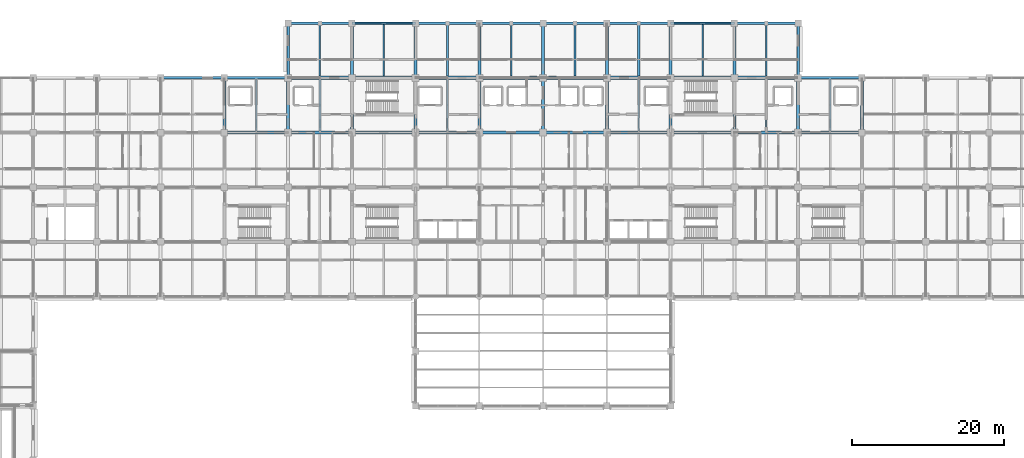
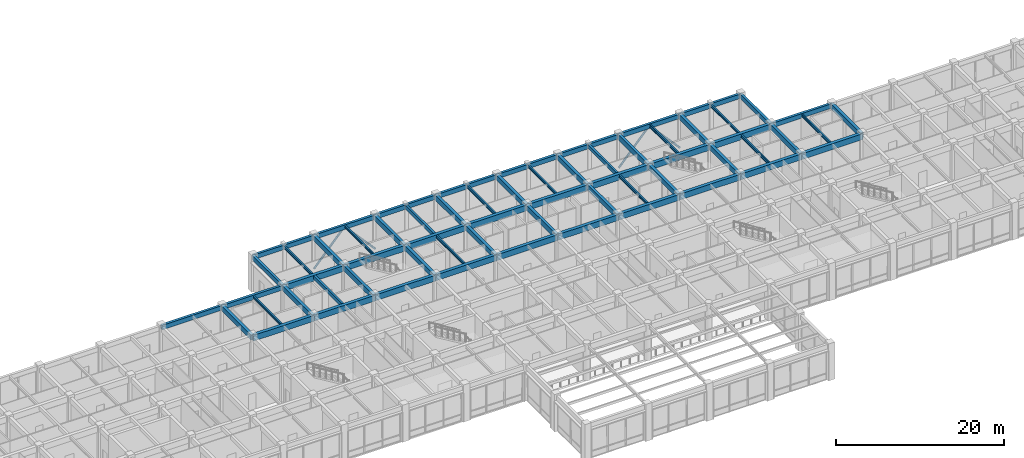
# One storey, part 16 of 58: 63 beams, 4 members.
"""IFC4 building model written with IfcOpenShell, lengths in metres."""

from ifc_helpers import new_model, si_unit, direction, frame, origin, origin_2d, place, context, subcontext, project, spatial, rectangle, hollow_circle, i_section, extrude, material, material_profile, profile_set, type_object, element, save


model = new_model("IFC4")

# Units and contexts
model_context = context("Model", 3, precision=1e-05, world=origin(), true_north=direction((0.0, 1.0)))
body_context = subcontext(model_context, "Body", "Model", "MODEL_VIEW")
ifc_project = project(units=[si_unit("LENGTHUNIT", "METRE"), si_unit("AREAUNIT", "SQUARE_METRE"), si_unit("VOLUMEUNIT", "CUBIC_METRE"), si_unit("PLANEANGLEUNIT", "RADIAN"), si_unit("MASSUNIT", "GRAM", prefix="KILO")], contexts=[model_context])

# Site, building, storey
site_placement = place(None, origin())
site = spatial("IfcSite", under=ifc_project, at=site_placement, CompositionType="ELEMENT")
building_placement = place(site_placement, origin())
building = spatial("IfcBuilding", under=site, at=building_placement, Name="Chengyuan Square Courthouse", CompositionType="ELEMENT")
storey_placement = place(building_placement, frame((0.0, 0.0, 16.199951171875)))
storey = spatial("IfcBuildingStorey", under=building, at=storey_placement, Name="L04", CompositionType="ELEMENT", Elevation=16.199951171875)

# Beams
ifc_material_1 = material(Name="Concrete C40", Category="concrete")
ifc_material_profile_1 = material_profile(ifc_material_1, rectangle(XDim=0.449951171875, YDim=0.85009765625, at=origin_2d()), Name="RC-BM-450x850")
ifc_profile_set_1 = profile_set([ifc_material_profile_1], Name="Concrete C40")
beam_type_1 = type_object("IfcBeamType", Name="BM-01", PredefinedType="USERDEFINED", material=ifc_profile_set_1)
beam_1_placement = place(storey_placement, frame((42.0, 100.800048828125, 4.695068359375), z_axis=(1.0, 0.0, 0.0), x_axis=(0.0, 1.0, 0.0)))
element("IfcBeam", 1, at=beam_1_placement, inside=storey, type_object=beam_type_1, Name="Girder BM-L04-2926", ObjectType="GIRDER", PredefinedType="USERDEFINED", context=body_context, shape_type="SweptSolid", body=[
    extrude(rectangle(XDim=0.449951171875, YDim=0.85009765625, at=origin_2d()), origin(), (0.0, 0.0, 1.0), 8.39990234375),
])
beam_2_placement = place(storey_placement, frame((50.39990234375, 100.800048828125, 4.695068359375), z_axis=(1.0, 0.0, 0.0), x_axis=(0.0, 1.0, 0.0)))
element("IfcBeam", 2, at=beam_2_placement, inside=storey, type_object=beam_type_1, Name="Girder BM-L04-2927", ObjectType="GIRDER", PredefinedType="USERDEFINED", context=body_context, shape_type="SweptSolid", body=[
    extrude(rectangle(XDim=0.449951171875, YDim=0.85009765625, at=origin_2d()), origin(), (0.0, 0.0, 1.0), 8.400146484375),
])
beam_3_placement = place(storey_placement, frame((58.800048828125, 100.800048828125, 4.695068359375), z_axis=(1.0, 0.0, 0.0), x_axis=(0.0, 1.0, 0.0)))
element("IfcBeam", 3, at=beam_3_placement, inside=storey, type_object=beam_type_1, Name="Girder BM-L04-2928", ObjectType="GIRDER", PredefinedType="USERDEFINED", context=body_context, shape_type="SweptSolid", body=[
    extrude(rectangle(XDim=0.449951171875, YDim=0.85009765625, at=origin_2d()), origin(), (0.0, 0.0, 1.0), 8.39990234375),
])
beam_4_placement = place(storey_placement, frame((67.199951171875, 100.800048828125, 4.695068359375), z_axis=(1.0, 0.0, 0.0), x_axis=(0.0, 1.0, 0.0)))
element("IfcBeam", 4, at=beam_4_placement, inside=storey, type_object=beam_type_1, Name="Girder BM-L04-2929", ObjectType="GIRDER", PredefinedType="USERDEFINED", context=body_context, shape_type="SweptSolid", body=[
    extrude(rectangle(XDim=0.449951171875, YDim=0.85009765625, at=origin_2d()), origin(), (0.0, 0.0, 1.0), 8.400146484375),
])
for number, where, z_axis, x_axis, name in (
    (5, (75.60009765625, 100.800048828125, 4.695068359375), (1.0, 0.0, 0.0), (0.0, 1.0, 0.0), "Girder BM-L04-2930"),
    (6, (84.0, 100.800048828125, 4.695068359375), (1.0, 0.0, 0.0), (0.0, 1.0, 0.0), "Girder BM-L04-2931"),
):
    element("IfcBeam", number, at=place(storey_placement, frame(where, z_axis=z_axis, x_axis=x_axis)), inside=storey, type_object=beam_type_1, Name=name, ObjectType="GIRDER", PredefinedType="USERDEFINED", context=body_context, shape_type="SweptSolid", body=[
        extrude(rectangle(XDim=0.449951171875, YDim=0.85009765625, at=origin_2d()), origin(), (0.0, 0.0, 1.0), 8.39990234375),
    ])
beam_5_placement = place(storey_placement, frame((92.39990234375, 100.800048828125, 4.695068359375), z_axis=(1.0, 0.0, 0.0), x_axis=(0.0, 1.0, 0.0)))
element("IfcBeam", 7, at=beam_5_placement, inside=storey, type_object=beam_type_1, Name="Girder BM-L04-2932", ObjectType="GIRDER", PredefinedType="USERDEFINED", context=body_context, shape_type="SweptSolid", body=[
    extrude(rectangle(XDim=0.449951171875, YDim=0.85009765625, at=origin_2d()), origin(), (0.0, 0.0, 1.0), 8.400146484375),
])
beam_6_placement = place(storey_placement, frame((100.800048828125, 100.800048828125, 4.695068359375), z_axis=(1.0, 0.0, 0.0), x_axis=(0.0, 1.0, 0.0)))
element("IfcBeam", 8, at=beam_6_placement, inside=storey, type_object=beam_type_1, Name="Girder BM-L04-2933", ObjectType="GIRDER", PredefinedType="USERDEFINED", context=body_context, shape_type="SweptSolid", body=[
    extrude(rectangle(XDim=0.449951171875, YDim=0.85009765625, at=origin_2d()), origin(), (0.0, 0.0, 1.0), 8.39990234375),
])
beam_7_placement = place(storey_placement, frame((109.199951171875, 100.800048828125, 4.695068359375), z_axis=(1.0, 0.0, 0.0), x_axis=(0.0, 1.0, 0.0)))
element("IfcBeam", 9, at=beam_7_placement, inside=storey, type_object=beam_type_1, Name="Girder BM-L04-2934", ObjectType="GIRDER", PredefinedType="USERDEFINED", context=body_context, shape_type="SweptSolid", body=[
    extrude(rectangle(XDim=0.449951171875, YDim=0.85009765625, at=origin_2d()), origin(), (0.0, 0.0, 1.0), 8.400146484375),
])
beam_8_placement = place(storey_placement, frame((117.60009765625, 100.800048828125, 4.695068359375), z_axis=(1.0, 0.0, 0.0), x_axis=(0.0, 1.0, 0.0)))
element("IfcBeam", 10, at=beam_8_placement, inside=storey, type_object=beam_type_1, Name="Girder BM-L04-2935", ObjectType="GIRDER", PredefinedType="USERDEFINED", context=body_context, shape_type="SweptSolid", body=[
    extrude(rectangle(XDim=0.449951171875, YDim=0.85009765625, at=origin_2d()), origin(), (0.0, 0.0, 1.0), 8.39990234375),
])
beam_9_placement = place(storey_placement, frame((50.39990234375, 108.0, 4.695068359375), z_axis=(1.0, 0.0, 0.0), x_axis=(0.0, 1.0, 0.0)))
element("IfcBeam", 11, at=beam_9_placement, inside=storey, type_object=beam_type_1, Name="Girder BM-L04-2947", ObjectType="GIRDER", PredefinedType="USERDEFINED", context=body_context, shape_type="SweptSolid", body=[
    extrude(rectangle(XDim=0.449951171875, YDim=0.85009765625, at=origin_2d()), origin(), (0.0, 0.0, 1.0), 8.400146484375),
])
beam_10_placement = place(storey_placement, frame((58.800048828125, 108.0, 4.695068359375), z_axis=(1.0, 0.0, 0.0), x_axis=(0.0, 1.0, 0.0)))
element("IfcBeam", 12, at=beam_10_placement, inside=storey, type_object=beam_type_1, Name="Girder BM-L04-2948", ObjectType="GIRDER", PredefinedType="USERDEFINED", context=body_context, shape_type="SweptSolid", body=[
    extrude(rectangle(XDim=0.449951171875, YDim=0.85009765625, at=origin_2d()), origin(), (0.0, 0.0, 1.0), 8.39990234375),
])
beam_11_placement = place(storey_placement, frame((67.199951171875, 108.0, 4.695068359375), z_axis=(1.0, 0.0, 0.0), x_axis=(0.0, 1.0, 0.0)))
element("IfcBeam", 13, at=beam_11_placement, inside=storey, type_object=beam_type_1, Name="Girder BM-L04-2949", ObjectType="GIRDER", PredefinedType="USERDEFINED", context=body_context, shape_type="SweptSolid", body=[
    extrude(rectangle(XDim=0.449951171875, YDim=0.85009765625, at=origin_2d()), origin(), (0.0, 0.0, 1.0), 8.400146484375),
])
for number, where, z_axis, x_axis, name in (
    (14, (75.60009765625, 108.0, 4.695068359375), (1.0, 0.0, 0.0), (0.0, 1.0, 0.0), "Girder BM-L04-2950"),
    (15, (84.0, 108.0, 4.695068359375), (1.0, 0.0, 0.0), (0.0, 1.0, 0.0), "Girder BM-L04-2951"),
):
    element("IfcBeam", number, at=place(storey_placement, frame(where, z_axis=z_axis, x_axis=x_axis)), inside=storey, type_object=beam_type_1, Name=name, ObjectType="GIRDER", PredefinedType="USERDEFINED", context=body_context, shape_type="SweptSolid", body=[
        extrude(rectangle(XDim=0.449951171875, YDim=0.85009765625, at=origin_2d()), origin(), (0.0, 0.0, 1.0), 8.39990234375),
    ])
beam_12_placement = place(storey_placement, frame((92.39990234375, 108.0, 4.695068359375), z_axis=(1.0, 0.0, 0.0), x_axis=(0.0, 1.0, 0.0)))
element("IfcBeam", 16, at=beam_12_placement, inside=storey, type_object=beam_type_1, Name="Girder BM-L04-2952", ObjectType="GIRDER", PredefinedType="USERDEFINED", context=body_context, shape_type="SweptSolid", body=[
    extrude(rectangle(XDim=0.449951171875, YDim=0.85009765625, at=origin_2d()), origin(), (0.0, 0.0, 1.0), 8.400146484375),
])
beam_13_placement = place(storey_placement, frame((100.800048828125, 108.0, 4.695068359375), z_axis=(1.0, 0.0, 0.0), x_axis=(0.0, 1.0, 0.0)))
element("IfcBeam", 17, at=beam_13_placement, inside=storey, type_object=beam_type_1, Name="Girder BM-L04-2953", ObjectType="GIRDER", PredefinedType="USERDEFINED", context=body_context, shape_type="SweptSolid", body=[
    extrude(rectangle(XDim=0.449951171875, YDim=0.85009765625, at=origin_2d()), origin(), (0.0, 0.0, 1.0), 8.39990234375),
])
beam_14_placement = place(storey_placement, frame((109.199951171875, 108.0, 4.695068359375), z_axis=(1.0, 0.0, 0.0), x_axis=(0.0, 1.0, 0.0)))
element("IfcBeam", 18, at=beam_14_placement, inside=storey, type_object=beam_type_1, Name="Girder BM-L04-2954", ObjectType="GIRDER", PredefinedType="USERDEFINED", context=body_context, shape_type="SweptSolid", body=[
    extrude(rectangle(XDim=0.449951171875, YDim=0.85009765625, at=origin_2d()), origin(), (0.0, 0.0, 1.0), 8.400146484375),
])
ifc_material_profile_2 = material_profile(ifc_material_1, rectangle(XDim=0.39990234375, YDim=0.75, at=origin_2d()), Name="RC-BM-400x750")
ifc_profile_set_2 = profile_set([ifc_material_profile_2], Name="Concrete C40")
beam_type_2 = type_object("IfcBeamType", Name="BM-02", PredefinedType="USERDEFINED", material=ifc_profile_set_2)
for number, where, z_axis, x_axis, name in (
    (19, (42.0, 100.800048828125, 4.7451171875), (0.0, 1.0, 0.0), (-1.0, 0.0, 0.0), "Girder BM-L04-3004"),
    (20, (50.39990234375, 100.800048828125, 4.7451171875), (0.0, 1.0, 0.0), (-1.0, 0.0, 0.0), "Girder BM-L04-3008"),
    (21, (58.800048828125, 100.800048828125, 4.7451171875), (0.0, 1.0, 0.0), (-1.0, 0.0, 0.0), "Girder BM-L04-3013"),
    (22, (58.800048828125, 108.0, 4.7451171875), (0.0, 1.0, 0.0), (-1.0, 0.0, 0.0), "Girder BM-L04-3014"),
    (23, (67.199951171875, 100.800048828125, 4.7451171875), (0.0, 1.0, 0.0), (-1.0, 0.0, 0.0), "Girder BM-L04-3020"),
    (24, (67.199951171875, 108.0, 4.7451171875), (0.0, 1.0, 0.0), (-1.0, 0.0, 0.0), "Girder BM-L04-3021"),
    (25, (75.60009765625, 100.800048828125, 4.7451171875), (0.0, 1.0, 0.0), (-1.0, 0.0, 0.0), "Girder BM-L04-3026"),
    (26, (75.60009765625, 108.0, 4.7451171875), (0.0, 1.0, 0.0), (-1.0, 0.0, 0.0), "Girder BM-L04-3027"),
    (27, (84.0, 100.800048828125, 4.7451171875), (0.0, 1.0, 0.0), (-1.0, 0.0, 0.0), "Girder BM-L04-3032"),
    (28, (84.0, 108.0, 4.7451171875), (0.0, 1.0, 0.0), (-1.0, 0.0, 0.0), "Girder BM-L04-3033"),
    (29, (92.39990234375, 100.800048828125, 4.7451171875), (0.0, 1.0, 0.0), (-1.0, 0.0, 0.0), "Girder BM-L04-3038"),
    (30, (92.39990234375, 108.0, 4.7451171875), (0.0, 1.0, 0.0), (-1.0, 0.0, 0.0), "Girder BM-L04-3039"),
    (31, (100.800048828125, 100.800048828125, 4.7451171875), (0.0, 1.0, 0.0), (-1.0, 0.0, 0.0), "Girder BM-L04-3045"),
    (32, (100.800048828125, 108.0, 4.7451171875), (0.0, 1.0, 0.0), (-1.0, 0.0, 0.0), "Girder BM-L04-3046"),
    (33, (109.199951171875, 100.800048828125, 4.7451171875), (0.0, 1.0, 0.0), (-1.0, 0.0, 0.0), "Girder BM-L04-3050"),
    (34, (109.199951171875, 108.0, 4.7451171875), (0.0, 1.0, 0.0), (-1.0, 0.0, 0.0), "Girder BM-L04-3051"),
    (35, (117.60009765625, 100.800048828125, 4.7451171875), (0.0, 1.0, 0.0), (-1.0, 0.0, 0.0), "Girder BM-L04-3055"),
    (36, (126.0, 100.800048828125, 4.7451171875), (0.0, 1.0, 0.0), (-1.0, 0.0, 0.0), "Girder BM-L04-3060"),
):
    element("IfcBeam", number, at=place(storey_placement, frame(where, z_axis=z_axis, x_axis=x_axis)), inside=storey, type_object=beam_type_2, Name=name, ObjectType="GIRDER", PredefinedType="USERDEFINED", context=body_context, shape_type="SweptSolid", body=[
        extrude(rectangle(XDim=0.39990234375, YDim=0.75, at=origin_2d()), origin(), (0.0, 0.0, 1.0), 7.199951171875),
    ])
ifc_material_profile_3 = material_profile(ifc_material_1, rectangle(XDim=0.35009765625, YDim=0.64990234375, at=origin_2d()), Name="RC-BM-350x650")
ifc_profile_set_3 = profile_set([ifc_material_profile_3], Name="Concrete C40")
beam_type_3 = type_object("IfcBeamType", Name="BM-03", PredefinedType="SPANDREL", material=ifc_profile_set_3)
for number, where, z_axis, x_axis, name in (
    (37, (33.60009765625, 108.0, 4.795166015625), (1.0, 0.0, 0.0), (0.0, 1.0, 0.0), "Girder BM-L04-2945"),
    (38, (42.0, 108.0, 4.795166015625), (1.0, 0.0, 0.0), (0.0, 1.0, 0.0), "Girder BM-L04-2946"),
    (39, (117.60009765625, 108.0, 4.795166015625), (1.0, 0.0, 0.0), (0.0, 1.0, 0.0), "Girder BM-L04-2955"),
):
    element("IfcBeam", number, at=place(storey_placement, frame(where, z_axis=z_axis, x_axis=x_axis)), inside=storey, type_object=beam_type_3, Name=name, PredefinedType="SPANDREL", context=body_context, shape_type="SweptSolid", body=[
        extrude(rectangle(XDim=0.35009765625, YDim=0.64990234375, at=origin_2d()), origin(), (0.0, 0.0, 1.0), 8.39990234375),
    ])
beam_15_placement = place(storey_placement, frame((50.39990234375, 115.199951171875, 4.795166015625), z_axis=(1.0, 0.0, 0.0), x_axis=(0.0, 1.0, 0.0)))
element("IfcBeam", 40, at=beam_15_placement, inside=storey, type_object=beam_type_3, Name="Girder BM-L04-2961", PredefinedType="SPANDREL", context=body_context, shape_type="SweptSolid", body=[
    extrude(rectangle(XDim=0.35009765625, YDim=0.64990234375, at=origin_2d()), origin(), (0.0, 0.0, 1.0), 8.400146484375),
])
beam_16_placement = place(storey_placement, frame((58.800048828125, 115.199951171875, 4.795166015625), z_axis=(1.0, 0.0, 0.0), x_axis=(0.0, 1.0, 0.0)))
element("IfcBeam", 41, at=beam_16_placement, inside=storey, type_object=beam_type_3, Name="Girder BM-L04-2962", PredefinedType="SPANDREL", context=body_context, shape_type="SweptSolid", body=[
    extrude(rectangle(XDim=0.35009765625, YDim=0.64990234375, at=origin_2d()), origin(), (0.0, 0.0, 1.0), 8.39990234375),
])
beam_17_placement = place(storey_placement, frame((67.199951171875, 115.199951171875, 4.795166015625), z_axis=(1.0, 0.0, 0.0), x_axis=(0.0, 1.0, 0.0)))
element("IfcBeam", 42, at=beam_17_placement, inside=storey, type_object=beam_type_3, Name="Girder BM-L04-2963", PredefinedType="SPANDREL", context=body_context, shape_type="SweptSolid", body=[
    extrude(rectangle(XDim=0.35009765625, YDim=0.64990234375, at=origin_2d()), origin(), (0.0, 0.0, 1.0), 8.400146484375),
])
for number, where, z_axis, x_axis, name in (
    (43, (75.60009765625, 115.199951171875, 4.795166015625), (1.0, 0.0, 0.0), (0.0, 1.0, 0.0), "Girder BM-L04-2964"),
    (44, (84.0, 115.199951171875, 4.795166015625), (1.0, 0.0, 0.0), (0.0, 1.0, 0.0), "Girder BM-L04-2965"),
):
    element("IfcBeam", number, at=place(storey_placement, frame(where, z_axis=z_axis, x_axis=x_axis)), inside=storey, type_object=beam_type_3, Name=name, PredefinedType="SPANDREL", context=body_context, shape_type="SweptSolid", body=[
        extrude(rectangle(XDim=0.35009765625, YDim=0.64990234375, at=origin_2d()), origin(), (0.0, 0.0, 1.0), 8.39990234375),
    ])
beam_18_placement = place(storey_placement, frame((92.39990234375, 115.199951171875, 4.795166015625), z_axis=(1.0, 0.0, 0.0), x_axis=(0.0, 1.0, 0.0)))
element("IfcBeam", 45, at=beam_18_placement, inside=storey, type_object=beam_type_3, Name="Girder BM-L04-2966", PredefinedType="SPANDREL", context=body_context, shape_type="SweptSolid", body=[
    extrude(rectangle(XDim=0.35009765625, YDim=0.64990234375, at=origin_2d()), origin(), (0.0, 0.0, 1.0), 8.400146484375),
])
beam_19_placement = place(storey_placement, frame((100.800048828125, 115.199951171875, 4.795166015625), z_axis=(1.0, 0.0, 0.0), x_axis=(0.0, 1.0, 0.0)))
element("IfcBeam", 46, at=beam_19_placement, inside=storey, type_object=beam_type_3, Name="Girder BM-L04-2967", PredefinedType="SPANDREL", context=body_context, shape_type="SweptSolid", body=[
    extrude(rectangle(XDim=0.35009765625, YDim=0.64990234375, at=origin_2d()), origin(), (0.0, 0.0, 1.0), 8.39990234375),
])
beam_20_placement = place(storey_placement, frame((109.199951171875, 115.199951171875, 4.795166015625), z_axis=(1.0, 0.0, 0.0), x_axis=(0.0, 1.0, 0.0)))
element("IfcBeam", 47, at=beam_20_placement, inside=storey, type_object=beam_type_3, Name="Girder BM-L04-2968", PredefinedType="SPANDREL", context=body_context, shape_type="SweptSolid", body=[
    extrude(rectangle(XDim=0.35009765625, YDim=0.64990234375, at=origin_2d()), origin(), (0.0, 0.0, 1.0), 8.400146484375),
])
for number, where, z_axis, x_axis, name in (
    (48, (50.39990234375, 108.0, 4.795166015625), (0.0, 1.0, 0.0), (-1.0, 0.0, 0.0), "Girder BM-L04-3009"),
    (49, (117.60009765625, 108.0, 4.795166015625), (0.0, 1.0, 0.0), (-1.0, 0.0, 0.0), "Girder BM-L04-3056"),
):
    element("IfcBeam", number, at=place(storey_placement, frame(where, z_axis=z_axis, x_axis=x_axis)), inside=storey, type_object=beam_type_3, Name=name, PredefinedType="SPANDREL", context=body_context, shape_type="SweptSolid", body=[
        extrude(rectangle(XDim=0.35009765625, YDim=0.64990234375, at=origin_2d()), origin(), (0.0, 0.0, 1.0), 7.199951171875),
    ])
ifc_material_profile_4 = material_profile(ifc_material_1, rectangle(XDim=0.300048828125, YDim=0.550048828125, at=origin_2d()), Name="RC-BM-300x550")
ifc_profile_set_4 = profile_set([ifc_material_profile_4], Name="Concrete C40")
beam_type_4 = type_object("IfcBeamType", Name="BM-04", PredefinedType="BEAM", material=ifc_profile_set_4)
beam_21_placement = place(storey_placement, frame((54.60009765625, 101.02490234375, 4.844970703125), z_axis=(0.0, 1.0, 0.0), x_axis=(-1.0, 0.0, 0.0)))
element("IfcBeam", 50, at=beam_21_placement, inside=storey, type_object=beam_type_4, Name="Secondary Floor Beam SBM-L04-3131", PredefinedType="BEAM", context=body_context, shape_type="SweptSolid", body=[
    extrude(rectangle(XDim=0.300048828125, YDim=0.550048828125, at=origin_2d()), origin(), (0.0, 0.0, 1.0), 6.75),
])
for number, where, z_axis, x_axis, name in (
    (51, (71.39990234375, 108.22509765625, 4.844970703125), (0.0, 1.0, 0.0), (-1.0, 0.0, 0.0), "Secondary Floor Beam SBM-L04-3139"),
    (52, (96.60009765625, 108.22509765625, 4.844970703125), (0.0, 1.0, 0.0), (-1.0, 0.0, 0.0), "Secondary Floor Beam SBM-L04-3151"),
):
    element("IfcBeam", number, at=place(storey_placement, frame(where, z_axis=z_axis, x_axis=x_axis)), inside=storey, type_object=beam_type_4, Name=name, PredefinedType="BEAM", context=body_context, shape_type="SweptSolid", body=[
        extrude(rectangle(XDim=0.300048828125, YDim=0.550048828125, at=origin_2d()), origin(), (0.0, 0.0, 1.0), 6.7998046875),
    ])
ifc_material_2 = material(Name="Steel Q355B", Category="steel")
ifc_material_profile_5 = material_profile(ifc_material_2, i_section(OverallWidth=0.199951171875, OverallDepth=0.449951171875, WebThickness=0.009033203125, FlangeThickness=0.013916015625, at=origin_2d()), Name="HN 450x200x9x14")
ifc_profile_set_5 = profile_set([ifc_material_profile_5], Name="Steel Q355B")
beam_type_5 = type_object("IfcBeamType", Name="BM-06", PredefinedType="BEAM", material=ifc_profile_set_5)
for number, where, z_axis, x_axis, name in (
    (53, (54.60009765625, 108.22509765625, 4.89501953125), (0.0, 1.0, 0.0), (-1.0, 0.0, 0.0), "Secondary Floor Beam SBM-L04-3132"),
    (54, (79.800048828125, 108.22509765625, 4.89501953125), (0.0, 1.0, 0.0), (-1.0, 0.0, 0.0), "Secondary Floor Beam SBM-L04-3143"),
    (55, (105.0, 108.22509765625, 4.89501953125), (0.0, 1.0, 0.0), (-1.0, 0.0, 0.0), "Secondary Floor Beam SBM-L04-3154"),
):
    element("IfcBeam", number, at=place(storey_placement, frame(where, z_axis=z_axis, x_axis=x_axis)), inside=storey, type_object=beam_type_5, Name=name, PredefinedType="BEAM", context=body_context, shape_type="SweptSolid", body=[
        extrude(i_section(OverallWidth=0.199951171875, OverallDepth=0.449951171875, WebThickness=0.009033203125, FlangeThickness=0.013916015625, at=origin_2d()), origin(), (0.0, 0.0, 1.0), 6.7998046875),
    ])
beam_22_placement = place(storey_placement, frame((113.39990234375, 101.02490234375, 4.89501953125), z_axis=(0.0, 1.0, 0.0), x_axis=(-1.0, 0.0, 0.0)))
element("IfcBeam", 56, at=beam_22_placement, inside=storey, type_object=beam_type_5, Name="Secondary Floor Beam SBM-L04-3158", PredefinedType="BEAM", context=body_context, shape_type="SweptSolid", body=[
    extrude(i_section(OverallWidth=0.199951171875, OverallDepth=0.449951171875, WebThickness=0.009033203125, FlangeThickness=0.013916015625, at=origin_2d()), origin(), (0.0, 0.0, 1.0), 6.75),
])
ifc_material_profile_6 = material_profile(ifc_material_2, i_section(OverallWidth=0.199951171875, OverallDepth=0.39990234375, WebThickness=0.008056640625, FlangeThickness=0.012939453125, at=origin_2d()), Name="HN 400x200x8x13")
ifc_profile_set_6 = profile_set([ifc_material_profile_6], Name="Steel Q355B")
beam_type_6 = type_object("IfcBeamType", Name="BM-07", PredefinedType="BEAM", material=ifc_profile_set_6)
beam_23_placement = place(storey_placement, frame((46.199951171875, 101.02490234375, 4.920166015625), z_axis=(0.0, 1.0, 0.0), x_axis=(-1.0, 0.0, 0.0)))
element("IfcBeam", 57, at=beam_23_placement, inside=storey, type_object=beam_type_6, Name="Secondary Floor Beam SBM-L04-3127", PredefinedType="BEAM", context=body_context, shape_type="SweptSolid", body=[
    extrude(i_section(OverallWidth=0.199951171875, OverallDepth=0.39990234375, WebThickness=0.008056640625, FlangeThickness=0.012939453125, at=origin_2d()), origin(), (0.0, 0.0, 1.0), 6.800048828125),
])
beam_24_placement = place(storey_placement, frame((63.0, 108.22509765625, 4.920166015625), z_axis=(0.0, 1.0, 0.0), x_axis=(-1.0, 0.0, 0.0)))
element("IfcBeam", 58, at=beam_24_placement, inside=storey, type_object=beam_type_6, Name="Secondary Floor Beam SBM-L04-3135", PredefinedType="BEAM", context=body_context, shape_type="SweptSolid", body=[
    extrude(i_section(OverallWidth=0.199951171875, OverallDepth=0.39990234375, WebThickness=0.008056640625, FlangeThickness=0.012939453125, at=origin_2d()), origin(), (0.0, 0.0, 1.0), 6.7998046875),
])
beam_25_placement = place(storey_placement, frame((71.39990234375, 101.02490234375, 4.920166015625), z_axis=(0.0, 1.0, 0.0), x_axis=(-1.0, 0.0, 0.0)))
element("IfcBeam", 59, at=beam_25_placement, inside=storey, type_object=beam_type_6, Name="Secondary Floor Beam SBM-L04-3138", PredefinedType="BEAM", context=body_context, shape_type="SweptSolid", body=[
    extrude(i_section(OverallWidth=0.199951171875, OverallDepth=0.39990234375, WebThickness=0.008056640625, FlangeThickness=0.012939453125, at=origin_2d()), origin(), (0.0, 0.0, 1.0), 6.75),
])
beam_26_placement = place(storey_placement, frame((88.199951171875, 108.22509765625, 4.920166015625), z_axis=(0.0, 1.0, 0.0), x_axis=(-1.0, 0.0, 0.0)))
element("IfcBeam", 60, at=beam_26_placement, inside=storey, type_object=beam_type_6, Name="Secondary Floor Beam SBM-L04-3147", PredefinedType="BEAM", context=body_context, shape_type="SweptSolid", body=[
    extrude(i_section(OverallWidth=0.199951171875, OverallDepth=0.39990234375, WebThickness=0.008056640625, FlangeThickness=0.012939453125, at=origin_2d()), origin(), (0.0, 0.0, 1.0), 6.7998046875),
])
beam_27_placement = place(storey_placement, frame((96.60009765625, 101.02490234375, 4.920166015625), z_axis=(0.0, 1.0, 0.0), x_axis=(-1.0, 0.0, 0.0)))
element("IfcBeam", 61, at=beam_27_placement, inside=storey, type_object=beam_type_6, Name="Secondary Floor Beam SBM-L04-3150", PredefinedType="BEAM", context=body_context, shape_type="SweptSolid", body=[
    extrude(i_section(OverallWidth=0.199951171875, OverallDepth=0.39990234375, WebThickness=0.008056640625, FlangeThickness=0.012939453125, at=origin_2d()), origin(), (0.0, 0.0, 1.0), 6.75),
])
beam_28_placement = place(storey_placement, frame((113.39990234375, 108.22509765625, 4.920166015625), z_axis=(0.0, 1.0, 0.0), x_axis=(-1.0, 0.0, 0.0)))
element("IfcBeam", 62, at=beam_28_placement, inside=storey, type_object=beam_type_6, Name="Secondary Floor Beam SBM-L04-3159", PredefinedType="BEAM", context=body_context, shape_type="SweptSolid", body=[
    extrude(i_section(OverallWidth=0.199951171875, OverallDepth=0.39990234375, WebThickness=0.008056640625, FlangeThickness=0.012939453125, at=origin_2d()), origin(), (0.0, 0.0, 1.0), 6.7998046875),
])
beam_29_placement = place(storey_placement, frame((121.800048828125, 101.02490234375, 4.920166015625), z_axis=(0.0, 1.0, 0.0), x_axis=(-1.0, 0.0, 0.0)))
element("IfcBeam", 63, at=beam_29_placement, inside=storey, type_object=beam_type_6, Name="Secondary Floor Beam SBM-L04-3162", PredefinedType="BEAM", context=body_context, shape_type="SweptSolid", body=[
    extrude(i_section(OverallWidth=0.199951171875, OverallDepth=0.39990234375, WebThickness=0.008056640625, FlangeThickness=0.012939453125, at=origin_2d()), origin(), (0.0, 0.0, 1.0), 6.800048828125),
])

# Members
ifc_material_profile_7 = material_profile(ifc_material_2, hollow_circle(Radius=0.136474609375, WallThickness=0.010009765625, at=origin_2d()), Name="CHS 273x10")
ifc_profile_set_7 = profile_set([ifc_material_profile_7], Name="Steel Q355B")
member_type = type_object("IfcMemberType", Name="BR-01", PredefinedType="BRACE", material=ifc_profile_set_7)
for number, where, z_axis, x_axis, name in (
    (64, (58.800048828125, 115.199951171875, 0.10009765625), (0.668702684729, 0.0, 0.743529904871), (0.0, 1.0, 0.0), "Steel Chevron Brace BR-L04-013"),
    (65, (67.199951171875, 115.199951171875, 0.10009765625), (-0.668702684729, 0.0, 0.743529904871), (0.0, -1.0, 0.0), "Steel Chevron Brace BR-L04-014"),
    (66, (100.800048828125, 115.199951171875, 0.10009765625), (0.668702684729, 0.0, 0.743529904871), (0.0, 1.0, 0.0), "Steel Chevron Brace BR-L04-015"),
    (67, (109.199951171875, 115.199951171875, 0.10009765625), (-0.668702684729, 0.0, 0.743529904871), (0.0, -1.0, 0.0), "Steel Chevron Brace BR-L04-016"),
):
    element("IfcMember", number, at=place(storey_placement, frame(where, z_axis=z_axis, x_axis=x_axis)), inside=storey, type_object=member_type, Name=name, PredefinedType="BRACE", context=body_context, shape_type="SweptSolid", body=[
        extrude(hollow_circle(Radius=0.136474609375, WallThickness=0.010009765625, at=origin_2d()), origin(), (0.0, 0.0, 1.0), 6.28076171875),
    ])

save(model, "model.ifc")
